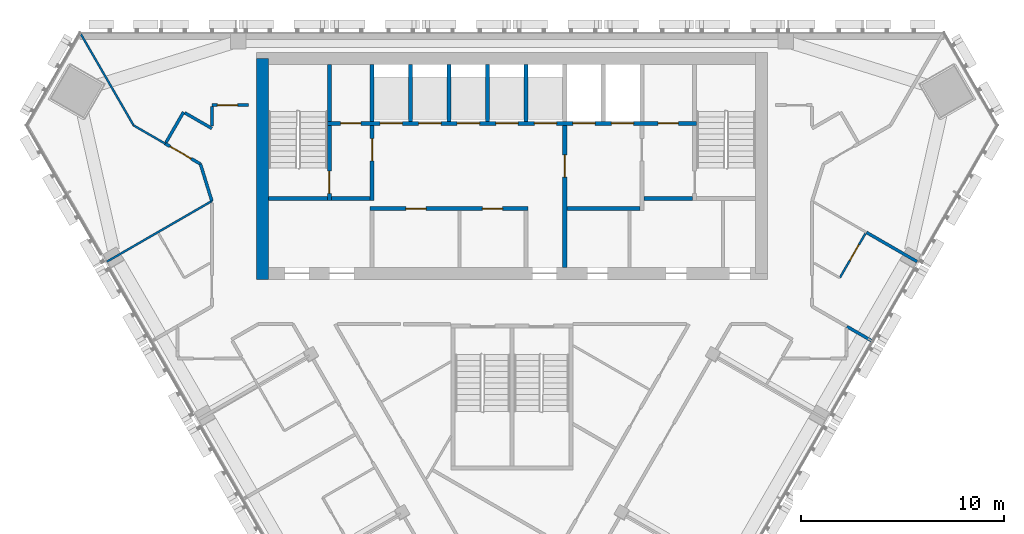
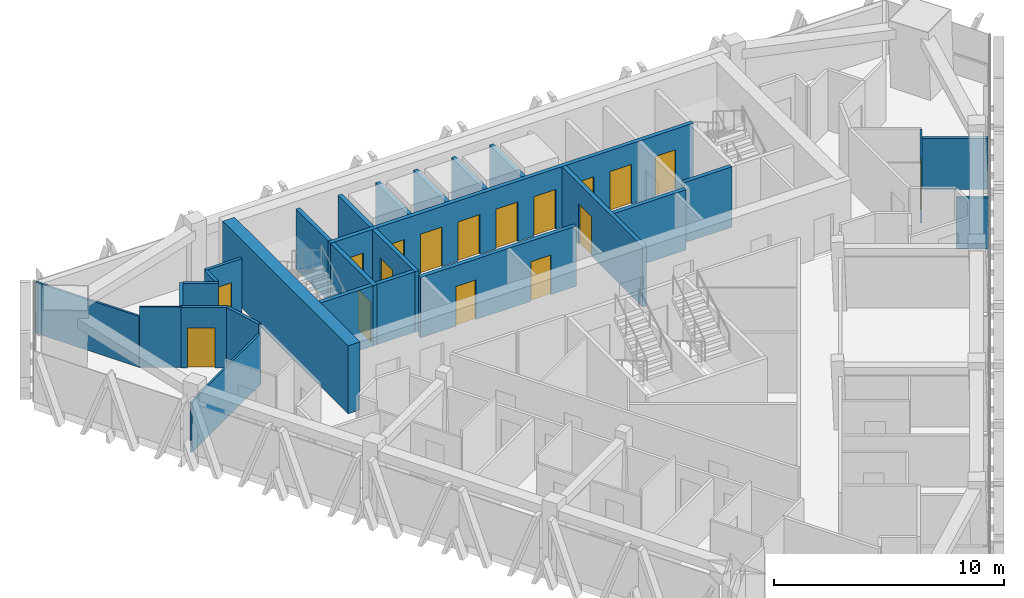
# One storey, part 10 of 15: 28 walls, 17 doors, 17 openings.
"""IFC4 building model written with IfcOpenShell, lengths in metres."""

import ifcopenshell
import ifcopenshell.guid

model = None  # the IFC model being written
_history = None  # IfcOwnerHistory: only IFC2X3 demands one
_inside = {}  # id of a spatial element -> (the spatial element, [elements in it])
_under = {}  # id of a project, library or spatial element -> (it, [spatial elements below it])
_declared = {}  # id of a project -> (the project, [libraries it declares])
_typed = {}  # id of a type object -> (the type object, [elements of that type])
_made_of = {}  # id of a material, layer set ... -> (it, [elements and type objects made of it])


def new_model(schema):
    """Start an empty IFC model of exactly this schema.

    Asked for "IFC4X3", IfcOpenShell would pick the latest addendum, in which some entities
    have other attributes; the version numbers below select the first issue.
    IFC2X3 requires an IfcOwnerHistory on every rooted entity: one is made here for all.
    """
    global model, _history
    if schema == "IFC4X3":
        model = ifcopenshell.file(schema_version=(4, 3, 0, 0))
    else:
        model = ifcopenshell.file(schema=schema)
    _inside.clear()
    _under.clear()
    _declared.clear()
    _typed.clear()
    _made_of.clear()
    _history = None
    if model.schema == "IFC2X3":
        org = make("IfcOrganization", Name="unknown")
        user = make(
            "IfcPersonAndOrganization",
            ThePerson=make("IfcPerson", FamilyName="unknown"),
            TheOrganization=org,
        )
        app = make(
            "IfcApplication",
            ApplicationDeveloper=org,
            Version="unknown",
            ApplicationFullName="unknown",
            ApplicationIdentifier="unknown",
        )
        _history = make(
            "IfcOwnerHistory",
            OwningUser=user,
            OwningApplication=app,
            ChangeAction="ADDED",
            CreationDate=0,
        )
    return model


def make(cls, **values):
    """One entity of the class cls with the attributes given. An attribute that is None is left unset."""
    return model.create_entity(
        cls, **{name: value for name, value in values.items() if value is not None}
    )


def rooted(cls, **values):
    """An entity with a GlobalId (a new one), such as an element, a storey or a relation."""
    return make(cls, GlobalId=ifcopenshell.guid.new(), OwnerHistory=_history, **values)


def si_unit(unit_type, name, prefix=None):
    """IfcSIUnit, for example si_unit("LENGTHUNIT", "METRE", prefix="MILLI")."""
    return make("IfcSIUnit", UnitType=unit_type, Prefix=prefix, Name=name)


def assignment(units):
    """IfcUnitAssignment: the units of a project."""
    return None if units is None else make("IfcUnitAssignment", Units=units)


def point(xyz):
    """IfcCartesianPoint."""
    return None if xyz is None else make("IfcCartesianPoint", Coordinates=xyz)


def direction(xyz):
    """IfcDirection."""
    return None if xyz is None else make("IfcDirection", DirectionRatios=xyz)


def frame(location, z_axis=None, x_axis=None):
    """IfcAxis2Placement3D, a coordinate frame: its origin and axes. An axis left out is left unset."""
    return make(
        "IfcAxis2Placement3D",
        Location=point(location),
        Axis=direction(z_axis),
        RefDirection=direction(x_axis),
    )


def frame_2d(location, x_axis=None):
    """IfcAxis2Placement2D, a coordinate frame in the plane: its origin and x axis."""
    return make(
        "IfcAxis2Placement2D", Location=point(location), RefDirection=direction(x_axis)
    )


def origin():
    """The frame at (0, 0, 0) with its axes left unset."""
    return frame((0.0, 0.0, 0.0))


def place(relative_to, where):
    """IfcLocalPlacement: puts the frame where relative to a parent placement (None: the world)."""
    return make(
        "IfcLocalPlacement", PlacementRelTo=relative_to, RelativePlacement=where
    )


def context(
    kind, dimensions, precision=None, world=None, true_north=None, identifier=None
):
    """IfcGeometricRepresentationContext, for example the 3D "Model" context."""
    return make(
        "IfcGeometricRepresentationContext",
        ContextIdentifier=identifier,
        ContextType=kind,
        CoordinateSpaceDimension=dimensions,
        Precision=precision,
        WorldCoordinateSystem=world,
        TrueNorth=true_north,
    )


def subcontext(parent, identifier, kind, view, scale=None):
    """IfcGeometricRepresentationSubContext, for example "Body" below "Model"."""
    return make(
        "IfcGeometricRepresentationSubContext",
        ContextIdentifier=identifier,
        ContextType=kind,
        ParentContext=parent,
        TargetScale=scale,
        TargetView=view,
    )


def project(units=None, contexts=None):
    """IfcProject with its units and contexts."""
    return rooted(
        "IfcProject",
        Name="project",
        RepresentationContexts=contexts,
        UnitsInContext=assignment(units),
    )


def spatial(cls, under=None, at=None, **own):
    """A site, building, storey or space (cls), placed at a placement, below another one or the project."""
    s = rooted(cls, ObjectPlacement=at, **own)
    if under is not None:
        _under.setdefault(under.id(), (under, []))[1].append(s)
    return s


def profile(cls, at=None, kind="AREA", **sizes):
    """A parametric profile (cls). Its sizes go by their IFC names, for example OverallWidth=200.0."""
    return make(cls, ProfileType=kind, Position=at, **sizes)


def rectangle(**sizes):
    """IfcRectangleProfileDef."""
    return profile("IfcRectangleProfileDef", **sizes)


def extrude(swept, where, along, depth):
    """IfcExtrudedAreaSolid: the profile swept, set in the frame where, extruded along a direction by depth."""
    return make(
        "IfcExtrudedAreaSolid",
        SweptArea=swept,
        Position=where,
        ExtrudedDirection=direction(along),
        Depth=depth,
    )


def shape(context_of_items, identifier, shape_type, items):
    """IfcShapeRepresentation: the items that make up one representation, for example the "Body"."""
    return make(
        "IfcShapeRepresentation",
        ContextOfItems=context_of_items,
        RepresentationIdentifier=identifier,
        RepresentationType=shape_type,
        Items=items,
    )


def material(Name=None, Category=None):
    """IfcMaterial."""
    return make("IfcMaterial", Name=Name, Category=Category)


def layer(
    of_material, thickness, ventilated=None, Name=None, Category=None, Priority=None
):
    """IfcMaterialLayer: one layer of a wall or slab, of a material (None: an air gap)."""
    return make(
        "IfcMaterialLayer",
        Material=of_material,
        LayerThickness=thickness,
        IsVentilated=ventilated,
        Name=Name,
        Category=Category,
        Priority=Priority,
    )


def layer_set(layers, Name=None):
    """IfcMaterialLayerSet."""
    return make("IfcMaterialLayerSet", MaterialLayers=layers, LayerSetName=Name)


def made_of(thing, what):
    """Note that an element or type object is made of a material, layer set ...; save() writes the relation."""
    if what is not None:
        _made_of.setdefault(what.id(), (what, []))[1].append(thing)
    return thing


def type_object(cls, material=None, **own):
    """A type object (cls), such as IfcWallType, which elements share."""
    return made_of(rooted(cls, **own), material)


def element(
    cls,
    number,
    at=None,
    inside=None,
    cuts=None,
    type_object=None,
    material=None,
    context=None,
    identifier="Body",
    shape_type=None,
    held_by="IfcProductDefinitionShape",
    body=None,
    shapes=None,
    **own,
):
    """One element of the class cls, such as IfcWall. Its Tag is "e" and its number.

    at: its placement. inside: the storey or other place that contains it. cuts: it is an
    opening in that element (IfcRelVoidsElement). A single representation is given by context,
    identifier, shape_type and body (its items); several are given by shapes. held_by: the class
    of the entity that holds the representations. save() writes the other relations.
    """
    e = rooted(cls, Tag="e%d" % number, ObjectPlacement=at, **own)
    if body is not None:
        shapes = [shape(context, identifier, shape_type, body)]
    if shapes is not None:
        e.Representation = make(held_by, Representations=shapes)
    if inside is not None:
        _inside.setdefault(inside.id(), (inside, []))[1].append(e)
    if cuts is not None:
        rooted(
            "IfcRelVoidsElement", RelatingBuildingElement=cuts, RelatedOpeningElement=e
        )
    if type_object is not None:
        _typed.setdefault(type_object.id(), (type_object, []))[1].append(e)
    return made_of(e, material)


def fill(opening, filler):
    """IfcRelFillsElement: the door or window that sits in an opening."""
    return rooted(
        "IfcRelFillsElement",
        RelatingOpeningElement=opening,
        RelatedBuildingElement=filler,
    )


def aggregate(whole, parts):
    """IfcRelAggregates: a whole, such as a stair, and the parts it consists of."""
    return rooted("IfcRelAggregates", RelatingObject=whole, RelatedObjects=parts)


def save(model, path):
    """Write the relations noted so far, then the file.

    IfcRelAggregates (storeys below a building ...), IfcRelContainedInSpatialStructure (elements
    in a storey), IfcRelDefinesByType, IfcRelAssociatesMaterial and IfcRelDeclares: one each for
    every whole, place, type object, material and project.
    """
    for whole, parts in _under.values():
        aggregate(whole, parts)
    for where, things in _inside.values():
        rooted(
            "IfcRelContainedInSpatialStructure",
            RelatedElements=things,
            RelatingStructure=where,
        )
    for kind, things in _typed.values():
        rooted("IfcRelDefinesByType", RelatedObjects=things, RelatingType=kind)
    for what, things in _made_of.values():
        rooted("IfcRelAssociatesMaterial", RelatedObjects=things, RelatingMaterial=what)
    for by, libraries in _declared.values():
        rooted("IfcRelDeclares", RelatingContext=by, RelatedDefinitions=libraries)
    model.write(path)


model = new_model("IFC4")

# Units and contexts
model_context = context("Model", 3, precision=1e-05, world=origin(), true_north=direction((0.0, 1.0)))
body_context = subcontext(model_context, "Body", "Model", "MODEL_VIEW")
ifc_project = project(units=[si_unit("LENGTHUNIT", "METRE"), si_unit("AREAUNIT", "SQUARE_METRE"), si_unit("VOLUMEUNIT", "CUBIC_METRE"), si_unit("PLANEANGLEUNIT", "RADIAN"), si_unit("MASSUNIT", "GRAM", prefix="KILO")], contexts=[model_context])

# Site, building, storey
site_placement = place(None, origin())
site = spatial("IfcSite", under=ifc_project, at=site_placement, CompositionType="ELEMENT")
building_placement = place(site_placement, origin())
building = spatial("IfcBuilding", under=site, at=building_placement, Name="Altiplano Prism Tower", CompositionType="ELEMENT")
storey_placement = place(building_placement, frame((0.0, 0.0, 246.39990234375)))
storey = spatial("IfcBuildingStorey", under=building, at=storey_placement, Name="L63", CompositionType="ELEMENT", Elevation=246.39990234375)

# Wall
ifc_material_1 = material(Name="Concrete C60/75", Category="concrete")
ifc_layer_1 = layer(ifc_material_1, 0.60009765625)
ifc_layer_set_1 = layer_set([ifc_layer_1], Name="Concrete C60/75")
wall_type_1 = type_object("IfcWallType", Name="Core wall 600", PredefinedType="SHEAR", material=ifc_layer_set_1)
wall_1_placement = place(storey_placement, frame((72.699951171875, 103.699951171875, 0.0), z_axis=(0.0, 0.0, 1.0), x_axis=(0.0, -1.0, 0.0)))
element("IfcWall", 1, at=wall_1_placement, inside=storey, type_object=wall_type_1, Name="Core wall W L63", PredefinedType="SHEAR", context=body_context, shape_type="SweptSolid", body=[
    extrude(rectangle(XDim=10.89990234375, YDim=0.60009765625, at=frame_2d((5.449951171875, 0.0))), origin(), (0.0, 0.0, 1.0), 3.60009765625),
])

# Wall, opening, door
ifc_material_2 = material(Name="Plasterboard on steel stud", Category="steel")
ifc_layer_2 = layer(ifc_material_2, 0.10009765625)
ifc_layer_set_2 = layer_set([ifc_layer_2], Name="Plasterboard on steel stud")
wall_type_2 = type_object("IfcWallType", Name="Partition 100 unit", PredefinedType="PARTITIONING", material=ifc_layer_set_2)
wall_2_placement = place(storey_placement, frame((102.426025390625, 95.070068359375, 0.0), z_axis=(0.0, 0.0, 1.0), x_axis=(-0.499976333282, -0.866039067339, 0.0)))
wall_2 = element("IfcWall", 2, at=wall_2_placement, inside=storey, type_object=wall_type_2, Name="Partition P02 L63 078", PredefinedType="PARTITIONING", context=body_context, shape_type="SweptSolid", body=[
    extrude(rectangle(XDim=2.52490234375, YDim=0.10009765625, at=frame_2d((1.262451171875, 0.0))), origin(), (0.0, 0.0, 1.0), 3.2001953125),
])
opening_1_placement = place(wall_2_placement, frame((0.635009765625, 0.0, 0.0)))
opening_1 = element("IfcOpeningElement", 3, at=opening_1_placement, cuts=wall_2, Name="Opening D2074", PredefinedType="OPENING", context=body_context, shape_type="SweptSolid", body=[
    extrude(rectangle(XDim=0.89990234375, YDim=2.10009765625, at=frame_2d((0.449951171875, 1.050048828125))), frame((0.0, 0.060546875, 0.0), z_axis=(0.0, -1.0, 0.0), x_axis=(1.0, 0.0, 0.0)), (0.0, 0.0, 1.0), 0.12109375),
])
ifc_material_3 = material(Name="Timber", Category="wood")
door_type_1 = type_object("IfcDoorType", Name="Accessible ensuite door 900 x 2100", OperationType="NOTDEFINED", PredefinedType="NOTDEFINED", material=ifc_material_3)
door_1_placement = place(opening_1_placement, origin())
door_1 = element("IfcDoor", 4, at=door_1_placement, inside=storey, type_object=door_type_1, Name="Door D2074", OperationType="SINGLE_SWING_LEFT", OverallHeight=2.10009765625, OverallWidth=0.89990234375, PredefinedType="NOTDEFINED", context=body_context, shape_type="SweptSolid", body=[
    extrude(rectangle(XDim=0.89990234375, YDim=2.10009765625, at=frame_2d((0.449951171875, 1.050048828125))), frame((0.0, 0.02490234375, 0.0), z_axis=(0.0, -1.0, 0.0), x_axis=(1.0, 0.0, 0.0)), (0.0, 0.0, 1.0), 0.050048828125),
])
fill(opening_1, door_1)

# Walls
ifc_layer_3 = layer(ifc_material_2, 0.10009765625)
ifc_layer_set_3 = layer_set([ifc_layer_3], Name="Plasterboard on steel stud")
wall_type_3 = type_object("IfcWallType", Name="Partition 100 wet", PredefinedType="PARTITIONING", material=ifc_layer_set_3)
wall_3_placement = place(storey_placement, frame((65.02490234375, 93.68505859375, 0.0), z_axis=(0.0, 0.0, 1.0), x_axis=(0.866027060668, 0.499997130182, 0.0)))
element("IfcWall", 5, at=wall_3_placement, inside=storey, type_object=wall_type_3, Name="Partition P03 L63 046", PredefinedType="PARTITIONING", context=body_context, shape_type="SweptSolid", body=[
    extrude(rectangle(XDim=5.9755859375, YDim=0.10009765625, at=frame_2d((2.98779296875, 0.0))), origin(), (0.0, 0.0, 1.0), 2.7001953125),
])
wall_4_placement = place(storey_placement, frame((67.903076171875, 99.5, 0.0), z_axis=(0.0, 0.0, 1.0), x_axis=(-0.866061671171, 0.499937177781, 0.0)))
element("IfcWall", 6, at=wall_4_placement, inside=storey, type_object=wall_type_3, Name="Partition P03 L63 047", PredefinedType="PARTITIONING", context=body_context, shape_type="SweptSolid", body=[
    extrude(rectangle(XDim=1.804443359375, YDim=0.10009765625, at=frame_2d((0.90234375, 0.0))), origin(), (0.0, 0.0, 1.0), 3.2001953125),
])
wall_5_placement = place(storey_placement, frame((66.34033203125, 100.402099609375, 0.0), z_axis=(0.0, 0.0, 1.0), x_axis=(-0.499981525251, 0.866036069923, 0.0)))
element("IfcWall", 7, at=wall_5_placement, inside=storey, type_object=wall_type_3, Name="Partition P03 L63 048", PredefinedType="PARTITIONING", context=body_context, shape_type="SweptSolid", body=[
    extrude(rectangle(XDim=5.193603515625, YDim=0.10009765625, at=frame_2d((2.5966796875, 0.0))), origin(), (0.0, 0.0, 1.0), 2.7001953125),
])

# Wall, opening, door
ifc_layer_4 = layer(ifc_material_2, 0.14990234375)
ifc_layer_set_4 = layer_set([ifc_layer_4], Name="Plasterboard on steel stud")
wall_type_4 = type_object("IfcWallType", Name="Partition 150 corridor", PredefinedType="PARTITIONING", material=ifc_layer_set_4)
wall_6_placement = place(storey_placement, frame((67.8857421875, 99.510009765625, 0.0), z_axis=(0.0, 0.0, 1.0), x_axis=(0.866010470582, -0.500025864173, 0.0)))
wall_6 = element("IfcWall", 8, at=wall_6_placement, inside=storey, type_object=wall_type_4, Name="Partition P06 L63 006", PredefinedType="PARTITIONING", context=body_context, shape_type="SweptSolid", body=[
    extrude(rectangle(XDim=2.02001953125, YDim=0.14990234375, at=frame_2d((1.010009765625, 0.0))), origin(), (0.0, 0.0, 1.0), 3.2001953125),
])
opening_2_placement = place(wall_6_placement, frame((0.2919921875, 0.0, 0.0)))
opening_2 = element("IfcOpeningElement", 9, at=opening_2_placement, cuts=wall_6, Name="Opening D2051", PredefinedType="OPENING", context=body_context, shape_type="SweptSolid", body=[
    extrude(rectangle(XDim=1.199951171875, YDim=2.10009765625, at=frame_2d((0.60009765625, 1.050048828125))), frame((0.0, 0.08544921875, 0.0), z_axis=(0.0, -1.0, 0.0), x_axis=(1.0, 0.0, 0.0)), (0.0, 0.0, 1.0), 0.1708984375),
])
door_type_2 = type_object("IfcDoorType", Name="Shared room door 1200 x 2100", OperationType="NOTDEFINED", PredefinedType="NOTDEFINED", material=ifc_material_3)
door_2_placement = place(opening_2_placement, origin())
door_2 = element("IfcDoor", 10, at=door_2_placement, inside=storey, type_object=door_type_2, Name="Door D2051", OperationType="SINGLE_SWING_LEFT", OverallHeight=2.10009765625, OverallWidth=1.199951171875, PredefinedType="NOTDEFINED", context=body_context, shape_type="SweptSolid", body=[
    extrude(rectangle(XDim=1.199951171875, YDim=2.10009765625, at=frame_2d((0.60009765625, 1.050048828125))), frame((0.0, 0.02490234375, 0.0), z_axis=(0.0, -1.0, 0.0), x_axis=(1.0, 0.0, 0.0)), (0.0, 0.0, 1.0), 0.050048828125),
])
fill(opening_2, door_2)

# Wall
wall_7_placement = place(storey_placement, frame((69.635009765625, 98.5, 0.0), z_axis=(0.0, 0.0, 1.0), x_axis=(0.29539525105, -0.955375133472, 0.0)))
element("IfcWall", 11, at=wall_7_placement, inside=storey, type_object=wall_type_4, Name="Partition P06 L63 007", PredefinedType="PARTITIONING", context=body_context, shape_type="SweptSolid", body=[
    extrude(rectangle(XDim=1.91259765625, YDim=0.14990234375, at=frame_2d((0.956298828125, 0.0))), origin(), (0.0, 0.0, 1.0), 3.2001953125),
])

# Wall, opening, door
wall_8_placement = place(storey_placement, frame((72.0, 101.39990234375, 0.0), z_axis=(0.0, 0.0, 1.0), x_axis=(-1.0, 0.0, 0.0)))
wall_8 = element("IfcWall", 12, at=wall_8_placement, inside=storey, type_object=wall_type_4, Name="Partition P06 L63 034", PredefinedType="PARTITIONING", context=body_context, shape_type="SweptSolid", body=[
    extrude(rectangle(XDim=1.800048828125, YDim=0.14990234375, at=frame_2d((0.89990234375, 0.0))), origin(), (0.0, 0.0, 1.0), 3.2001953125),
])
opening_3_placement = place(wall_8_placement, frame((0.52490234375, 0.0, 0.0)))
opening_3 = element("IfcOpeningElement", 13, at=opening_3_placement, cuts=wall_8, Name="Opening D2076", PredefinedType="OPENING", context=body_context, shape_type="SweptSolid", body=[
    extrude(rectangle(XDim=1.0, YDim=2.10009765625, at=frame_2d((0.5, 1.050048828125))), frame((0.0, 0.08544921875, 0.0), z_axis=(0.0, -1.0, 0.0), x_axis=(1.0, 0.0, 0.0)), (0.0, 0.0, 1.0), 0.1708984375),
])
door_type_3 = type_object("IfcDoorType", Name="Room door 1000 x 2100", OperationType="NOTDEFINED", PredefinedType="NOTDEFINED", material=ifc_material_3)
door_3_placement = place(opening_3_placement, origin())
door_3 = element("IfcDoor", 14, at=door_3_placement, inside=storey, type_object=door_type_3, Name="Door D2076", OperationType="SINGLE_SWING_LEFT", OverallHeight=2.10009765625, OverallWidth=1.0, PredefinedType="NOTDEFINED", context=body_context, shape_type="SweptSolid", body=[
    extrude(rectangle(XDim=1.0, YDim=2.10009765625, at=frame_2d((0.5, 1.050048828125))), frame((0.0, 0.02490234375, 0.0), z_axis=(0.0, -1.0, 0.0), x_axis=(1.0, 0.0, 0.0)), (0.0, 0.0, 1.0), 0.050048828125),
])
fill(opening_3, door_3)

# Walls
wall_9_placement = place(storey_placement, frame((70.199951171875, 101.324951171875, 0.0), z_axis=(0.0, 0.0, 1.0), x_axis=(0.0, -1.0, 0.0)))
element("IfcWall", 15, at=wall_9_placement, inside=storey, type_object=wall_type_4, Name="Partition P06 L63 035", PredefinedType="PARTITIONING", context=body_context, shape_type="SweptSolid", body=[
    extrude(rectangle(XDim=0.942626953125, YDim=0.14990234375, at=frame_2d((0.47119140625, 0.0))), origin(), (0.0, 0.0, 1.0), 3.2001953125),
])
wall_10_placement = place(storey_placement, frame((70.199951171875, 100.25244140625, 0.0), z_axis=(0.0, 0.0, 1.0), x_axis=(-0.86609571815, 0.499878192165, 0.0)))
element("IfcWall", 16, at=wall_10_placement, inside=storey, type_object=wall_type_4, Name="Partition P06 L63 036", PredefinedType="PARTITIONING", context=body_context, shape_type="SweptSolid", body=[
    extrude(rectangle(XDim=1.5380859375, YDim=0.14990234375, at=frame_2d((0.76904296875, 0.0))), origin(), (0.0, 0.0, 1.0), 3.2001953125),
])
wall_11_placement = place(storey_placement, frame((68.802978515625, 101.058837890625, 0.0), z_axis=(0.0, 0.0, 1.0), x_axis=(-0.499914405916, -0.866074815912, 0.0)))
element("IfcWall", 17, at=wall_11_placement, inside=storey, type_object=wall_type_4, Name="Partition P06 L63 037", PredefinedType="PARTITIONING", context=body_context, shape_type="SweptSolid", body=[
    extrude(rectangle(XDim=1.724853515625, YDim=0.14990234375, at=frame_2d((0.8623046875, 0.0))), origin(), (0.0, 0.0, 1.0), 3.2001953125),
])
ifc_layer_5 = layer(ifc_material_2, 0.14990234375)
ifc_layer_set_5 = layer_set([ifc_layer_5], Name="Plasterboard on steel stud")
wall_type_5 = type_object("IfcWallType", Name="Partition 150 party", PredefinedType="PARTITIONING", material=ifc_layer_set_5)
wall_12_placement = place(storey_placement, frame((102.742431640625, 89.77783203125, 0.0), z_axis=(0.0, 0.0, 1.0), x_axis=(-0.866009885209, 0.500026877998, 0.0)))
element("IfcWall", 18, at=wall_12_placement, inside=storey, type_object=wall_type_5, Name="Partition P01 L63 077", PredefinedType="PARTITIONING", context=body_context, shape_type="SweptSolid", body=[
    extrude(rectangle(XDim=1.41162109375, YDim=0.14990234375, at=frame_2d((0.705810546875, 0.0))), origin(), (0.0, 0.0, 1.0), 2.7001953125),
])
wall_13_placement = place(storey_placement, frame((104.97509765625, 93.68505859375, 0.0), z_axis=(0.0, 0.0, 1.0), x_axis=(-0.866033125095, 0.499986626058, 0.0)))
element("IfcWall", 19, at=wall_13_placement, inside=storey, type_object=wall_type_5, Name="Partition P01 L63 080", PredefinedType="PARTITIONING", context=body_context, shape_type="SweptSolid", body=[
    extrude(rectangle(XDim=2.8798828125, YDim=0.14990234375, at=frame_2d((1.43994140625, 0.0))), origin(), (0.0, 0.0, 1.0), 2.7001953125),
])
ifc_layer_6 = layer(ifc_material_1, 0.199951171875)
ifc_layer_set_6 = layer_set([ifc_layer_6], Name="Concrete C60/75")
wall_type_6 = type_object("IfcWallType", Name="Shaft wall 200", PredefinedType="SOLIDWALL", material=ifc_layer_set_6)
for number, where, z_axis, x_axis, name in (
    (20, (78.10009765625, 100.60009765625, 0.0), (0.0, 0.0, 1.0), (0.0, 1.0, 0.0), "Shaft wall L63"),
    (21, (80.0, 100.60009765625, 0.0), (0.0, 0.0, 1.0), (0.0, 1.0, 0.0), "Shaft wall L63"),
    (22, (81.89990234375, 100.60009765625, 0.0), (0.0, 0.0, 1.0), (0.0, 1.0, 0.0), "Shaft wall L63"),
    (23, (83.800048828125, 100.60009765625, 0.0), (0.0, 0.0, 1.0), (0.0, 1.0, 0.0), "Shaft wall L63"),
    (24, (85.699951171875, 100.60009765625, 0.0), (0.0, 0.0, 1.0), (0.0, 1.0, 0.0), "Shaft wall L63"),
):
    element("IfcWall", number, at=place(storey_placement, frame(where, z_axis=z_axis, x_axis=x_axis)), inside=storey, type_object=wall_type_6, Name=name, PredefinedType="SOLIDWALL", context=body_context, shape_type="SweptSolid", body=[
        extrude(rectangle(XDim=2.7998046875, YDim=0.199951171875, at=frame_2d((1.39990234375, 0.0))), origin(), (0.0, 0.0, 1.0), 3.2001953125),
    ])
ifc_layer_7 = layer(ifc_material_1, 0.199951171875)
ifc_layer_set_7 = layer_set([ifc_layer_7], Name="Concrete C60/75")
wall_type_7 = type_object("IfcWallType", Name="Stair wall 200", PredefinedType="SOLIDWALL", material=ifc_layer_set_7)
wall_14_placement = place(storey_placement, frame((73.0, 96.800048828125, 0.0), z_axis=(0.0, 0.0, 1.0), x_axis=(1.0, 0.0, 0.0)))
element("IfcWall", 25, at=wall_14_placement, inside=storey, type_object=wall_type_7, Name="Stair wall L63", PredefinedType="SOLIDWALL", context=body_context, shape_type="SweptSolid", body=[
    extrude(rectangle(XDim=2.89990234375, YDim=0.199951171875, at=frame_2d((1.449951171875, 0.0))), origin(), (0.0, 0.0, 1.0), 3.2001953125),
])

# Wall, opening, door
wall_15_placement = place(storey_placement, frame((76.0, 96.699951171875, 0.0), z_axis=(0.0, 0.0, 1.0), x_axis=(0.0, 1.0, 0.0)))
wall_15 = element("IfcWall", 26, at=wall_15_placement, inside=storey, type_object=wall_type_7, Name="Stair wall L63", PredefinedType="SOLIDWALL", context=body_context, shape_type="SweptSolid", body=[
    extrude(rectangle(XDim=3.699951171875, YDim=0.199951171875, at=frame_2d((1.85009765625, 0.0))), origin(), (0.0, 0.0, 1.0), 3.2001953125),
])
opening_4_placement = place(wall_15_placement, frame((0.35009765625, 0.0, 0.0)))
opening_4 = element("IfcOpeningElement", 27, at=opening_4_placement, cuts=wall_15, Name="Opening D3457", PredefinedType="OPENING", context=body_context, shape_type="SweptSolid", body=[
    extrude(rectangle(XDim=1.10009765625, YDim=2.10009765625, at=frame_2d((0.550048828125, 1.050048828125))), frame((0.0, 0.1103515625, 0.0), z_axis=(0.0, -1.0, 0.0), x_axis=(1.0, 0.0, 0.0)), (0.0, 0.0, 1.0), 0.220947265625),
])
ifc_material_4 = material(Name="Fire-rated steel door", Category="steel")
door_type_4 = type_object("IfcDoorType", Name="Stair fire door 1100 x 2100", OperationType="NOTDEFINED", PredefinedType="NOTDEFINED", material=ifc_material_4)
door_4_placement = place(opening_4_placement, origin())
door_4 = element("IfcDoor", 28, at=door_4_placement, inside=storey, type_object=door_type_4, Name="Stair fire door D3457", OperationType="SINGLE_SWING_RIGHT", OverallHeight=2.10009765625, OverallWidth=1.10009765625, PredefinedType="NOTDEFINED", context=body_context, shape_type="SweptSolid", body=[
    extrude(rectangle(XDim=1.10009765625, YDim=2.10009765625, at=frame_2d((0.550048828125, 1.050048828125))), frame((0.0, 0.02490234375, 0.0), z_axis=(0.0, -1.0, 0.0), x_axis=(1.0, 0.0, 0.0)), (0.0, 0.0, 1.0), 0.050048828125),
])
fill(opening_4, door_4)

# Wall, openings, doors
wall_16_placement = place(storey_placement, frame((75.89990234375, 100.5, 0.0), z_axis=(0.0, 0.0, 1.0), x_axis=(1.0, 0.0, 0.0)))
wall_16 = element("IfcWall", 29, at=wall_16_placement, inside=storey, type_object=wall_type_7, Name="Stair wall L63", PredefinedType="SOLIDWALL", context=body_context, shape_type="SweptSolid", body=[
    extrude(rectangle(XDim=18.2001953125, YDim=0.199951171875, at=frame_2d((9.10009765625, 0.0))), origin(), (0.0, 0.0, 1.0), 3.2001953125),
])
opening_5_placement = place(wall_16_placement, frame((2.60009765625, 0.0, 0.0)))
opening_5 = element("IfcOpeningElement", 30, at=opening_5_placement, cuts=wall_16, Name="Opening LD-HL1-L63", PredefinedType="OPENING", context=body_context, shape_type="SweptSolid", body=[
    extrude(rectangle(XDim=1.10009765625, YDim=2.10009765625, at=frame_2d((0.550048828125, 1.050048828125))), frame((0.0, 0.1103515625, 0.0), z_axis=(0.0, -1.0, 0.0), x_axis=(1.0, 0.0, 0.0)), (0.0, 0.0, 1.0), 0.220947265625),
])
opening_6_placement = place(wall_16_placement, frame((4.5, 0.0, 0.0)))
opening_6 = element("IfcOpeningElement", 31, at=opening_6_placement, cuts=wall_16, Name="Opening LD-HL2-L63", PredefinedType="OPENING", context=body_context, shape_type="SweptSolid", body=[
    extrude(rectangle(XDim=1.10009765625, YDim=2.10009765625, at=frame_2d((0.550048828125, 1.050048828125))), frame((0.0, 0.1103515625, 0.0), z_axis=(0.0, -1.0, 0.0), x_axis=(1.0, 0.0, 0.0)), (0.0, 0.0, 1.0), 0.220947265625),
])
opening_7_placement = place(wall_16_placement, frame((6.39990234375, 0.0, 0.0)))
opening_7 = element("IfcOpeningElement", 32, at=opening_7_placement, cuts=wall_16, Name="Opening LD-HL3-L63", PredefinedType="OPENING", context=body_context, shape_type="SweptSolid", body=[
    extrude(rectangle(XDim=1.10009765625, YDim=2.10009765625, at=frame_2d((0.550048828125, 1.050048828125))), frame((0.0, 0.1103515625, 0.0), z_axis=(0.0, -1.0, 0.0), x_axis=(1.0, 0.0, 0.0)), (0.0, 0.0, 1.0), 0.220947265625),
])
opening_8_placement = place(wall_16_placement, frame((8.300048828125, 0.0, 0.0)))
opening_8 = element("IfcOpeningElement", 33, at=opening_8_placement, cuts=wall_16, Name="Opening LD-HL4-L63", PredefinedType="OPENING", context=body_context, shape_type="SweptSolid", body=[
    extrude(rectangle(XDim=1.10009765625, YDim=2.10009765625, at=frame_2d((0.550048828125, 1.050048828125))), frame((0.0, 0.1103515625, 0.0), z_axis=(0.0, -1.0, 0.0), x_axis=(1.0, 0.0, 0.0)), (0.0, 0.0, 1.0), 0.220947265625),
])
opening_9_placement = place(wall_16_placement, frame((10.199951171875, 0.0, 0.0)))
opening_9 = element("IfcOpeningElement", 34, at=opening_9_placement, cuts=wall_16, Name="Opening LD-HL5-L63", PredefinedType="OPENING", context=body_context, shape_type="SweptSolid", body=[
    extrude(rectangle(XDim=1.10009765625, YDim=2.10009765625, at=frame_2d((0.550048828125, 1.050048828125))), frame((0.0, 0.1103515625, 0.0), z_axis=(0.0, -1.0, 0.0), x_axis=(1.0, 0.0, 0.0)), (0.0, 0.0, 1.0), 0.220947265625),
])
opening_10_placement = place(wall_16_placement, frame((12.10009765625, 0.0, 0.0)))
opening_10 = element("IfcOpeningElement", 35, at=opening_10_placement, cuts=wall_16, Name="Opening LD-FF1-L63", PredefinedType="OPENING", context=body_context, shape_type="SweptSolid", body=[
    extrude(rectangle(XDim=1.10009765625, YDim=2.10009765625, at=frame_2d((0.550048828125, 1.050048828125))), frame((0.0, 0.1103515625, 0.0), z_axis=(0.0, -1.0, 0.0), x_axis=(1.0, 0.0, 0.0)), (0.0, 0.0, 1.0), 0.220947265625),
])
opening_11_placement = place(wall_16_placement, frame((14.0, 0.0, 0.0)))
opening_11 = element("IfcOpeningElement", 36, at=opening_11_placement, cuts=wall_16, Name="Opening LD-FF2-L63", PredefinedType="OPENING", context=body_context, shape_type="SweptSolid", body=[
    extrude(rectangle(XDim=1.10009765625, YDim=2.10009765625, at=frame_2d((0.550048828125, 1.050048828125))), frame((0.0, 0.1103515625, 0.0), z_axis=(0.0, -1.0, 0.0), x_axis=(1.0, 0.0, 0.0)), (0.0, 0.0, 1.0), 0.220947265625),
])
opening_12_placement = place(wall_16_placement, frame((0.64990234375, 0.0, 0.0)))
opening_12 = element("IfcOpeningElement", 37, at=opening_12_placement, cuts=wall_16, Name="Opening D3465", PredefinedType="OPENING", context=body_context, shape_type="SweptSolid", body=[
    extrude(rectangle(XDim=1.0, YDim=2.10009765625, at=frame_2d((0.5, 1.050048828125))), frame((0.0, 0.1103515625, 0.0), z_axis=(0.0, -1.0, 0.0), x_axis=(1.0, 0.0, 0.0)), (0.0, 0.0, 1.0), 0.220947265625),
])
opening_13_placement = place(wall_16_placement, frame((16.300048828125, 0.0, 0.0)))
opening_13 = element("IfcOpeningElement", 38, at=opening_13_placement, cuts=wall_16, Name="Opening D3466", PredefinedType="OPENING", context=body_context, shape_type="SweptSolid", body=[
    extrude(rectangle(XDim=1.0, YDim=2.10009765625, at=frame_2d((0.5, 1.050048828125))), frame((0.0, 0.1103515625, 0.0), z_axis=(0.0, -1.0, 0.0), x_axis=(1.0, 0.0, 0.0)), (0.0, 0.0, 1.0), 0.220947265625),
])
door_type_5 = type_object("IfcDoorType", Name="Core room door 1000 x 2100", OperationType="NOTDEFINED", PredefinedType="NOTDEFINED", material=ifc_material_4)
door_5_placement = place(opening_12_placement, origin())
door_5 = element("IfcDoor", 39, at=door_5_placement, inside=storey, type_object=door_type_5, Name="Core room door D3465", OperationType="SINGLE_SWING_LEFT", OverallHeight=2.10009765625, OverallWidth=1.0, PredefinedType="NOTDEFINED", context=body_context, shape_type="SweptSolid", body=[
    extrude(rectangle(XDim=1.0, YDim=2.10009765625, at=frame_2d((0.5, 1.050048828125))), frame((0.0, 0.02490234375, 0.0), z_axis=(0.0, -1.0, 0.0), x_axis=(1.0, 0.0, 0.0)), (0.0, 0.0, 1.0), 0.050048828125),
])
fill(opening_12, door_5)
door_6_placement = place(opening_13_placement, origin())
door_6 = element("IfcDoor", 40, at=door_6_placement, inside=storey, type_object=door_type_5, Name="Core room door D3466", OperationType="SINGLE_SWING_RIGHT", OverallHeight=2.10009765625, OverallWidth=1.0, PredefinedType="NOTDEFINED", context=body_context, shape_type="SweptSolid", body=[
    extrude(rectangle(XDim=1.0, YDim=2.10009765625, at=frame_2d((0.5, 1.050048828125))), frame((0.0, 0.02490234375, 0.0), z_axis=(0.0, -1.0, 0.0), x_axis=(1.0, 0.0, 0.0)), (0.0, 0.0, 1.0), 0.050048828125),
])
fill(opening_13, door_6)
ifc_material_5 = material(Name="Stainless steel landing door", Category="steel")
door_type_6 = type_object("IfcDoorType", Name="Landing door 1100 x 2100", OperationType="NOTDEFINED", PredefinedType="NOTDEFINED", material=ifc_material_5)
door_7_placement = place(opening_5_placement, origin())
door_7 = element("IfcDoor", 41, at=door_7_placement, inside=storey, type_object=door_type_6, Name="Landing doors HL1", OperationType="SLIDING_TO_RIGHT", OverallHeight=2.10009765625, OverallWidth=1.10009765625, PredefinedType="NOTDEFINED", context=body_context, shape_type="SweptSolid", body=[
    extrude(rectangle(XDim=1.10009765625, YDim=2.10009765625, at=frame_2d((0.550048828125, 1.050048828125))), frame((0.0, 0.02490234375, 0.0), z_axis=(0.0, -1.0, 0.0), x_axis=(1.0, 0.0, 0.0)), (0.0, 0.0, 1.0), 0.050048828125),
])
fill(opening_5, door_7)
door_8_placement = place(opening_6_placement, origin())
door_8 = element("IfcDoor", 42, at=door_8_placement, inside=storey, type_object=door_type_6, Name="Landing doors HL2", OperationType="SLIDING_TO_LEFT", OverallHeight=2.10009765625, OverallWidth=1.10009765625, PredefinedType="NOTDEFINED", context=body_context, shape_type="SweptSolid", body=[
    extrude(rectangle(XDim=1.10009765625, YDim=2.10009765625, at=frame_2d((0.550048828125, 1.050048828125))), frame((0.0, 0.02490234375, 0.0), z_axis=(0.0, -1.0, 0.0), x_axis=(1.0, 0.0, 0.0)), (0.0, 0.0, 1.0), 0.050048828125),
])
fill(opening_6, door_8)
door_9_placement = place(opening_7_placement, origin())
door_9 = element("IfcDoor", 43, at=door_9_placement, inside=storey, type_object=door_type_6, Name="Landing doors HL3", OperationType="SLIDING_TO_RIGHT", OverallHeight=2.10009765625, OverallWidth=1.10009765625, PredefinedType="NOTDEFINED", context=body_context, shape_type="SweptSolid", body=[
    extrude(rectangle(XDim=1.10009765625, YDim=2.10009765625, at=frame_2d((0.550048828125, 1.050048828125))), frame((0.0, 0.02490234375, 0.0), z_axis=(0.0, -1.0, 0.0), x_axis=(1.0, 0.0, 0.0)), (0.0, 0.0, 1.0), 0.050048828125),
])
fill(opening_7, door_9)
door_10_placement = place(opening_8_placement, origin())
door_10 = element("IfcDoor", 44, at=door_10_placement, inside=storey, type_object=door_type_6, Name="Landing doors HL4", OperationType="SLIDING_TO_LEFT", OverallHeight=2.10009765625, OverallWidth=1.10009765625, PredefinedType="NOTDEFINED", context=body_context, shape_type="SweptSolid", body=[
    extrude(rectangle(XDim=1.10009765625, YDim=2.10009765625, at=frame_2d((0.550048828125, 1.050048828125))), frame((0.0, 0.02490234375, 0.0), z_axis=(0.0, -1.0, 0.0), x_axis=(1.0, 0.0, 0.0)), (0.0, 0.0, 1.0), 0.050048828125),
])
fill(opening_8, door_10)
door_11_placement = place(opening_9_placement, origin())
door_11 = element("IfcDoor", 45, at=door_11_placement, inside=storey, type_object=door_type_6, Name="Landing doors HL5", OperationType="SLIDING_TO_RIGHT", OverallHeight=2.10009765625, OverallWidth=1.10009765625, PredefinedType="NOTDEFINED", context=body_context, shape_type="SweptSolid", body=[
    extrude(rectangle(XDim=1.10009765625, YDim=2.10009765625, at=frame_2d((0.550048828125, 1.050048828125))), frame((0.0, 0.02490234375, 0.0), z_axis=(0.0, -1.0, 0.0), x_axis=(1.0, 0.0, 0.0)), (0.0, 0.0, 1.0), 0.050048828125),
])
fill(opening_9, door_11)
door_12_placement = place(opening_10_placement, origin())
door_12 = element("IfcDoor", 46, at=door_12_placement, inside=storey, type_object=door_type_6, Name="Landing doors FF1", OperationType="SLIDING_TO_RIGHT", OverallHeight=2.10009765625, OverallWidth=1.10009765625, PredefinedType="NOTDEFINED", context=body_context, shape_type="SweptSolid", body=[
    extrude(rectangle(XDim=1.10009765625, YDim=2.10009765625, at=frame_2d((0.550048828125, 1.050048828125))), frame((0.0, 0.02490234375, 0.0), z_axis=(0.0, -1.0, 0.0), x_axis=(1.0, 0.0, 0.0)), (0.0, 0.0, 1.0), 0.050048828125),
])
fill(opening_10, door_12)
door_13_placement = place(opening_11_placement, origin())
door_13 = element("IfcDoor", 47, at=door_13_placement, inside=storey, type_object=door_type_6, Name="Landing doors FF2", OperationType="SLIDING_TO_LEFT", OverallHeight=2.10009765625, OverallWidth=1.10009765625, PredefinedType="NOTDEFINED", context=body_context, shape_type="SweptSolid", body=[
    extrude(rectangle(XDim=1.10009765625, YDim=2.10009765625, at=frame_2d((0.550048828125, 1.050048828125))), frame((0.0, 0.02490234375, 0.0), z_axis=(0.0, -1.0, 0.0), x_axis=(1.0, 0.0, 0.0)), (0.0, 0.0, 1.0), 0.050048828125),
])
fill(opening_11, door_13)

# Wall
wall_17_placement = place(storey_placement, frame((76.0, 100.60009765625, 0.0), z_axis=(0.0, 0.0, 1.0), x_axis=(0.0, 1.0, 0.0)))
element("IfcWall", 48, at=wall_17_placement, inside=storey, type_object=wall_type_7, Name="Stair wall L63", PredefinedType="SOLIDWALL", context=body_context, shape_type="SweptSolid", body=[
    extrude(rectangle(XDim=2.7998046875, YDim=0.199951171875, at=frame_2d((1.39990234375, 0.0))), origin(), (0.0, 0.0, 1.0), 3.2001953125),
])

# Wall, opening, door
ifc_layer_8 = layer(ifc_material_1, 0.199951171875)
ifc_layer_set_8 = layer_set([ifc_layer_8], Name="Concrete C60/75")
wall_type_8 = type_object("IfcWallType", Name="Vestibule wall 200", PredefinedType="PARTITIONING", material=ifc_layer_set_8)
wall_18_placement = place(storey_placement, frame((87.60009765625, 93.39990234375, 0.0), z_axis=(0.0, 0.0, 1.0), x_axis=(0.0, 1.0, 0.0)))
wall_18 = element("IfcWall", 49, at=wall_18_placement, inside=storey, type_object=wall_type_8, Name="Vestibule wall L63", PredefinedType="PARTITIONING", context=body_context, shape_type="SweptSolid", body=[
    extrude(rectangle(XDim=7.0, YDim=0.199951171875, at=frame_2d((3.5, 0.0))), origin(), (0.0, 0.0, 1.0), 3.2001953125),
])
opening_14_placement = place(wall_18_placement, frame((4.449951171875, 0.0, 0.0)))
opening_14 = element("IfcOpeningElement", 50, at=opening_14_placement, cuts=wall_18, Name="Opening D3460", PredefinedType="OPENING", context=body_context, shape_type="SweptSolid", body=[
    extrude(rectangle(XDim=1.10009765625, YDim=2.10009765625, at=frame_2d((0.550048828125, 1.050048828125))), frame((0.0, 0.1103515625, 0.0), z_axis=(0.0, -1.0, 0.0), x_axis=(1.0, 0.0, 0.0)), (0.0, 0.0, 1.0), 0.220947265625),
])
door_type_7 = type_object("IfcDoorType", Name="Vestibule fire door 1100 x 2100", OperationType="NOTDEFINED", PredefinedType="NOTDEFINED", material=ifc_material_4)
door_14_placement = place(opening_14_placement, origin())
door_14 = element("IfcDoor", 51, at=door_14_placement, inside=storey, type_object=door_type_7, Name="Vestibule fire door D3460", OperationType="SINGLE_SWING_RIGHT", OverallHeight=2.10009765625, OverallWidth=1.10009765625, PredefinedType="NOTDEFINED", context=body_context, shape_type="SweptSolid", body=[
    extrude(rectangle(XDim=1.10009765625, YDim=2.10009765625, at=frame_2d((0.550048828125, 1.050048828125))), frame((0.0, 0.02490234375, 0.0), z_axis=(0.0, -1.0, 0.0), x_axis=(1.0, 0.0, 0.0)), (0.0, 0.0, 1.0), 0.050048828125),
])
fill(opening_14, door_14)

# Wall, openings, doors
wall_19_placement = place(storey_placement, frame((78.0, 96.300048828125, 0.0), z_axis=(0.0, 0.0, 1.0), x_axis=(1.0, 0.0, 0.0)))
wall_19 = element("IfcWall", 52, at=wall_19_placement, inside=storey, type_object=wall_type_8, Name="Vestibule wall L63", PredefinedType="PARTITIONING", context=body_context, shape_type="SweptSolid", body=[
    extrude(rectangle(XDim=7.800048828125, YDim=0.199951171875, at=frame_2d((3.89990234375, 0.0))), origin(), (0.0, 0.0, 1.0), 3.2001953125),
])
opening_15_placement = place(wall_19_placement, frame((1.762451171875, 0.0, 0.0)))
opening_15 = element("IfcOpeningElement", 53, at=opening_15_placement, cuts=wall_19, Name="Opening D3470", PredefinedType="OPENING", context=body_context, shape_type="SweptSolid", body=[
    extrude(rectangle(XDim=1.0, YDim=2.10009765625, at=frame_2d((0.5, 1.050048828125))), frame((0.0, 0.1103515625, 0.0), z_axis=(0.0, -1.0, 0.0), x_axis=(1.0, 0.0, 0.0)), (0.0, 0.0, 1.0), 0.220947265625),
])
opening_16_placement = place(wall_19_placement, frame((5.53759765625, 0.0, 0.0)))
opening_16 = element("IfcOpeningElement", 54, at=opening_16_placement, cuts=wall_19, Name="Opening D3471", PredefinedType="OPENING", context=body_context, shape_type="SweptSolid", body=[
    extrude(rectangle(XDim=1.0, YDim=2.10009765625, at=frame_2d((0.5, 1.050048828125))), frame((0.0, 0.1103515625, 0.0), z_axis=(0.0, -1.0, 0.0), x_axis=(1.0, 0.0, 0.0)), (0.0, 0.0, 1.0), 0.220947265625),
])
door_15_placement = place(opening_15_placement, origin())
door_15 = element("IfcDoor", 55, at=door_15_placement, inside=storey, type_object=door_type_5, Name="Core room door D3470", OperationType="SINGLE_SWING_RIGHT", OverallHeight=2.10009765625, OverallWidth=1.0, PredefinedType="NOTDEFINED", context=body_context, shape_type="SweptSolid", body=[
    extrude(rectangle(XDim=1.0, YDim=2.10009765625, at=frame_2d((0.5, 1.050048828125))), frame((0.0, 0.02490234375, 0.0), z_axis=(0.0, -1.0, 0.0), x_axis=(1.0, 0.0, 0.0)), (0.0, 0.0, 1.0), 0.050048828125),
])
fill(opening_15, door_15)
door_16_placement = place(opening_16_placement, origin())
door_16 = element("IfcDoor", 56, at=door_16_placement, inside=storey, type_object=door_type_5, Name="Core room door D3471", OperationType="SINGLE_SWING_RIGHT", OverallHeight=2.10009765625, OverallWidth=1.0, PredefinedType="NOTDEFINED", context=body_context, shape_type="SweptSolid", body=[
    extrude(rectangle(XDim=1.0, YDim=2.10009765625, at=frame_2d((0.5, 1.050048828125))), frame((0.0, 0.02490234375, 0.0), z_axis=(0.0, -1.0, 0.0), x_axis=(1.0, 0.0, 0.0)), (0.0, 0.0, 1.0), 0.050048828125),
])
fill(opening_16, door_16)

# Walls
wall_20_placement = place(storey_placement, frame((87.699951171875, 96.300048828125, 0.0), z_axis=(0.0, 0.0, 1.0), x_axis=(1.0, 0.0, 0.0)))
element("IfcWall", 57, at=wall_20_placement, inside=storey, type_object=wall_type_8, Name="Vestibule wall L63", PredefinedType="PARTITIONING", context=body_context, shape_type="SweptSolid", body=[
    extrude(rectangle(XDim=3.60009765625, YDim=0.199951171875, at=frame_2d((1.800048828125, 0.0))), origin(), (0.0, 0.0, 1.0), 3.2001953125),
])
wall_21_placement = place(storey_placement, frame((76.10009765625, 96.800048828125, 0.0), z_axis=(0.0, 0.0, 1.0), x_axis=(1.0, 0.0, 0.0)))
element("IfcWall", 58, at=wall_21_placement, inside=storey, type_object=wall_type_8, Name="Vestibule wall L63", PredefinedType="PARTITIONING", context=body_context, shape_type="SweptSolid", body=[
    extrude(rectangle(XDim=1.89990234375, YDim=0.199951171875, at=frame_2d((0.949951171875, 0.0))), origin(), (0.0, 0.0, 1.0), 3.2001953125),
])

# Wall, opening, door
wall_22_placement = place(storey_placement, frame((78.10009765625, 96.699951171875, 0.0), z_axis=(0.0, 0.0, 1.0), x_axis=(0.0, 1.0, 0.0)))
wall_22 = element("IfcWall", 59, at=wall_22_placement, inside=storey, type_object=wall_type_8, Name="Vestibule wall L63", PredefinedType="PARTITIONING", context=body_context, shape_type="SweptSolid", body=[
    extrude(rectangle(XDim=3.699951171875, YDim=0.199951171875, at=frame_2d((1.85009765625, 0.0))), origin(), (0.0, 0.0, 1.0), 3.2001953125),
])
opening_17_placement = place(wall_22_placement, frame((1.949951171875, 0.0, 0.0)))
opening_17 = element("IfcOpeningElement", 60, at=opening_17_placement, cuts=wall_22, Name="Opening D3459", PredefinedType="OPENING", context=body_context, shape_type="SweptSolid", body=[
    extrude(rectangle(XDim=1.10009765625, YDim=2.10009765625, at=frame_2d((0.550048828125, 1.050048828125))), frame((0.0, 0.1103515625, 0.0), z_axis=(0.0, -1.0, 0.0), x_axis=(1.0, 0.0, 0.0)), (0.0, 0.0, 1.0), 0.220947265625),
])
door_17_placement = place(opening_17_placement, origin())
door_17 = element("IfcDoor", 61, at=door_17_placement, inside=storey, type_object=door_type_7, Name="Vestibule fire door D3459", OperationType="SINGLE_SWING_LEFT", OverallHeight=2.10009765625, OverallWidth=1.10009765625, PredefinedType="NOTDEFINED", context=body_context, shape_type="SweptSolid", body=[
    extrude(rectangle(XDim=1.10009765625, YDim=2.10009765625, at=frame_2d((0.550048828125, 1.050048828125))), frame((0.0, 0.02490234375, 0.0), z_axis=(0.0, -1.0, 0.0), x_axis=(1.0, 0.0, 0.0)), (0.0, 0.0, 1.0), 0.050048828125),
])
fill(opening_17, door_17)

# Wall
wall_23_placement = place(storey_placement, frame((91.5, 96.800048828125, 0.0), z_axis=(0.0, 0.0, 1.0), x_axis=(1.0, 0.0, 0.0)))
element("IfcWall", 62, at=wall_23_placement, inside=storey, type_object=wall_type_8, Name="Vestibule wall L63", PredefinedType="PARTITIONING", context=body_context, shape_type="SweptSolid", body=[
    extrude(rectangle(XDim=2.39990234375, YDim=0.199951171875, at=frame_2d((1.199951171875, 0.0))), origin(), (0.0, 0.0, 1.0), 3.2001953125),
])

save(model, "model.ifc")
